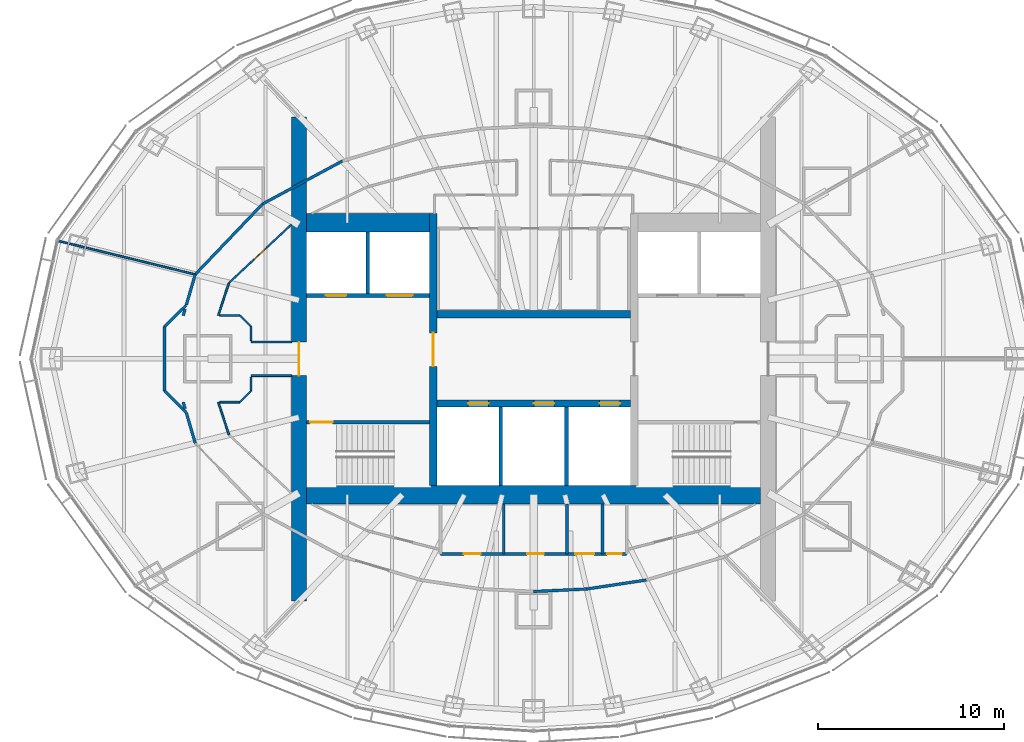
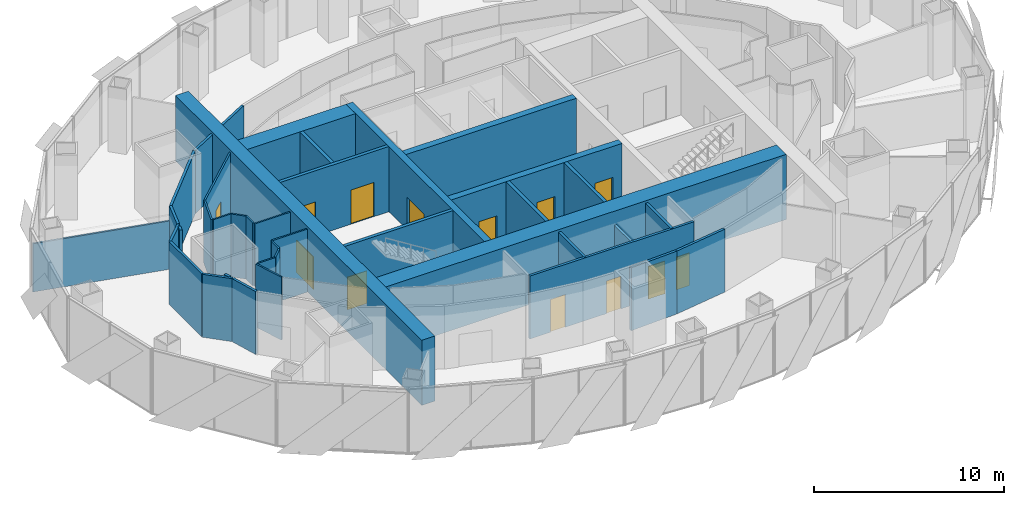
# One storey, part 12 of 17: 38 walls, 13 doors, 13 openings.
"""IFC4 building model written with IfcOpenShell, lengths in metres."""

import ifcopenshell
import ifcopenshell.guid

model = None  # the IFC model being written
_history = None  # IfcOwnerHistory: only IFC2X3 demands one
_inside = {}  # id of a spatial element -> (the spatial element, [elements in it])
_under = {}  # id of a project, library or spatial element -> (it, [spatial elements below it])
_declared = {}  # id of a project -> (the project, [libraries it declares])
_typed = {}  # id of a type object -> (the type object, [elements of that type])
_made_of = {}  # id of a material, layer set ... -> (it, [elements and type objects made of it])


def new_model(schema):
    """Start an empty IFC model of exactly this schema.

    Asked for "IFC4X3", IfcOpenShell would pick the latest addendum, in which some entities
    have other attributes; the version numbers below select the first issue.
    IFC2X3 requires an IfcOwnerHistory on every rooted entity: one is made here for all.
    """
    global model, _history
    if schema == "IFC4X3":
        model = ifcopenshell.file(schema_version=(4, 3, 0, 0))
    else:
        model = ifcopenshell.file(schema=schema)
    _inside.clear()
    _under.clear()
    _declared.clear()
    _typed.clear()
    _made_of.clear()
    _history = None
    if model.schema == "IFC2X3":
        org = make("IfcOrganization", Name="unknown")
        user = make(
            "IfcPersonAndOrganization",
            ThePerson=make("IfcPerson", FamilyName="unknown"),
            TheOrganization=org,
        )
        app = make(
            "IfcApplication",
            ApplicationDeveloper=org,
            Version="unknown",
            ApplicationFullName="unknown",
            ApplicationIdentifier="unknown",
        )
        _history = make(
            "IfcOwnerHistory",
            OwningUser=user,
            OwningApplication=app,
            ChangeAction="ADDED",
            CreationDate=0,
        )
    return model


def make(cls, **values):
    """One entity of the class cls with the attributes given. An attribute that is None is left unset."""
    return model.create_entity(
        cls, **{name: value for name, value in values.items() if value is not None}
    )


def rooted(cls, **values):
    """An entity with a GlobalId (a new one), such as an element, a storey or a relation."""
    return make(cls, GlobalId=ifcopenshell.guid.new(), OwnerHistory=_history, **values)


def si_unit(unit_type, name, prefix=None):
    """IfcSIUnit, for example si_unit("LENGTHUNIT", "METRE", prefix="MILLI")."""
    return make("IfcSIUnit", UnitType=unit_type, Prefix=prefix, Name=name)


def assignment(units):
    """IfcUnitAssignment: the units of a project."""
    return None if units is None else make("IfcUnitAssignment", Units=units)


def point(xyz):
    """IfcCartesianPoint."""
    return None if xyz is None else make("IfcCartesianPoint", Coordinates=xyz)


def direction(xyz):
    """IfcDirection."""
    return None if xyz is None else make("IfcDirection", DirectionRatios=xyz)


def frame(location, z_axis=None, x_axis=None):
    """IfcAxis2Placement3D, a coordinate frame: its origin and axes. An axis left out is left unset."""
    return make(
        "IfcAxis2Placement3D",
        Location=point(location),
        Axis=direction(z_axis),
        RefDirection=direction(x_axis),
    )


def frame_2d(location, x_axis=None):
    """IfcAxis2Placement2D, a coordinate frame in the plane: its origin and x axis."""
    return make(
        "IfcAxis2Placement2D", Location=point(location), RefDirection=direction(x_axis)
    )


def origin():
    """The frame at (0, 0, 0) with its axes left unset."""
    return frame((0.0, 0.0, 0.0))


def place(relative_to, where):
    """IfcLocalPlacement: puts the frame where relative to a parent placement (None: the world)."""
    return make(
        "IfcLocalPlacement", PlacementRelTo=relative_to, RelativePlacement=where
    )


def context(
    kind, dimensions, precision=None, world=None, true_north=None, identifier=None
):
    """IfcGeometricRepresentationContext, for example the 3D "Model" context."""
    return make(
        "IfcGeometricRepresentationContext",
        ContextIdentifier=identifier,
        ContextType=kind,
        CoordinateSpaceDimension=dimensions,
        Precision=precision,
        WorldCoordinateSystem=world,
        TrueNorth=true_north,
    )


def subcontext(parent, identifier, kind, view, scale=None):
    """IfcGeometricRepresentationSubContext, for example "Body" below "Model"."""
    return make(
        "IfcGeometricRepresentationSubContext",
        ContextIdentifier=identifier,
        ContextType=kind,
        ParentContext=parent,
        TargetScale=scale,
        TargetView=view,
    )


def project(units=None, contexts=None):
    """IfcProject with its units and contexts."""
    return rooted(
        "IfcProject",
        Name="project",
        RepresentationContexts=contexts,
        UnitsInContext=assignment(units),
    )


def spatial(cls, under=None, at=None, **own):
    """A site, building, storey or space (cls), placed at a placement, below another one or the project."""
    s = rooted(cls, ObjectPlacement=at, **own)
    if under is not None:
        _under.setdefault(under.id(), (under, []))[1].append(s)
    return s


def profile(cls, at=None, kind="AREA", **sizes):
    """A parametric profile (cls). Its sizes go by their IFC names, for example OverallWidth=200.0."""
    return make(cls, ProfileType=kind, Position=at, **sizes)


def rectangle(**sizes):
    """IfcRectangleProfileDef."""
    return profile("IfcRectangleProfileDef", **sizes)


def extrude(swept, where, along, depth):
    """IfcExtrudedAreaSolid: the profile swept, set in the frame where, extruded along a direction by depth."""
    return make(
        "IfcExtrudedAreaSolid",
        SweptArea=swept,
        Position=where,
        ExtrudedDirection=direction(along),
        Depth=depth,
    )


def shape(context_of_items, identifier, shape_type, items):
    """IfcShapeRepresentation: the items that make up one representation, for example the "Body"."""
    return make(
        "IfcShapeRepresentation",
        ContextOfItems=context_of_items,
        RepresentationIdentifier=identifier,
        RepresentationType=shape_type,
        Items=items,
    )


def material(Name=None, Category=None):
    """IfcMaterial."""
    return make("IfcMaterial", Name=Name, Category=Category)


def layer(
    of_material, thickness, ventilated=None, Name=None, Category=None, Priority=None
):
    """IfcMaterialLayer: one layer of a wall or slab, of a material (None: an air gap)."""
    return make(
        "IfcMaterialLayer",
        Material=of_material,
        LayerThickness=thickness,
        IsVentilated=ventilated,
        Name=Name,
        Category=Category,
        Priority=Priority,
    )


def layer_set(layers, Name=None):
    """IfcMaterialLayerSet."""
    return make("IfcMaterialLayerSet", MaterialLayers=layers, LayerSetName=Name)


def made_of(thing, what):
    """Note that an element or type object is made of a material, layer set ...; save() writes the relation."""
    if what is not None:
        _made_of.setdefault(what.id(), (what, []))[1].append(thing)
    return thing


def type_object(cls, material=None, **own):
    """A type object (cls), such as IfcWallType, which elements share."""
    return made_of(rooted(cls, **own), material)


def element(
    cls,
    number,
    at=None,
    inside=None,
    cuts=None,
    type_object=None,
    material=None,
    context=None,
    identifier="Body",
    shape_type=None,
    held_by="IfcProductDefinitionShape",
    body=None,
    shapes=None,
    **own,
):
    """One element of the class cls, such as IfcWall. Its Tag is "e" and its number.

    at: its placement. inside: the storey or other place that contains it. cuts: it is an
    opening in that element (IfcRelVoidsElement). A single representation is given by context,
    identifier, shape_type and body (its items); several are given by shapes. held_by: the class
    of the entity that holds the representations. save() writes the other relations.
    """
    e = rooted(cls, Tag="e%d" % number, ObjectPlacement=at, **own)
    if body is not None:
        shapes = [shape(context, identifier, shape_type, body)]
    if shapes is not None:
        e.Representation = make(held_by, Representations=shapes)
    if inside is not None:
        _inside.setdefault(inside.id(), (inside, []))[1].append(e)
    if cuts is not None:
        rooted(
            "IfcRelVoidsElement", RelatingBuildingElement=cuts, RelatedOpeningElement=e
        )
    if type_object is not None:
        _typed.setdefault(type_object.id(), (type_object, []))[1].append(e)
    return made_of(e, material)


def fill(opening, filler):
    """IfcRelFillsElement: the door or window that sits in an opening."""
    return rooted(
        "IfcRelFillsElement",
        RelatingOpeningElement=opening,
        RelatedBuildingElement=filler,
    )


def aggregate(whole, parts):
    """IfcRelAggregates: a whole, such as a stair, and the parts it consists of."""
    return rooted("IfcRelAggregates", RelatingObject=whole, RelatedObjects=parts)


def save(model, path):
    """Write the relations noted so far, then the file.

    IfcRelAggregates (storeys below a building ...), IfcRelContainedInSpatialStructure (elements
    in a storey), IfcRelDefinesByType, IfcRelAssociatesMaterial and IfcRelDeclares: one each for
    every whole, place, type object, material and project.
    """
    for whole, parts in _under.values():
        aggregate(whole, parts)
    for where, things in _inside.values():
        rooted(
            "IfcRelContainedInSpatialStructure",
            RelatedElements=things,
            RelatingStructure=where,
        )
    for kind, things in _typed.values():
        rooted("IfcRelDefinesByType", RelatedObjects=things, RelatingType=kind)
    for what, things in _made_of.values():
        rooted("IfcRelAssociatesMaterial", RelatedObjects=things, RelatingMaterial=what)
    for by, libraries in _declared.values():
        rooted("IfcRelDeclares", RelatingContext=by, RelatedDefinitions=libraries)
    model.write(path)


model = new_model("IFC4")

# Units and contexts
model_context = context("Model", 3, precision=1e-05, world=origin(), true_north=direction((0.0, 1.0)))
body_context = subcontext(model_context, "Body", "Model", "MODEL_VIEW")
ifc_project = project(units=[si_unit("LENGTHUNIT", "METRE"), si_unit("AREAUNIT", "SQUARE_METRE"), si_unit("VOLUMEUNIT", "CUBIC_METRE"), si_unit("PLANEANGLEUNIT", "RADIAN"), si_unit("MASSUNIT", "GRAM", prefix="KILO")], contexts=[model_context])

# Site, building, storey
site_placement = place(None, origin())
site = spatial("IfcSite", under=ifc_project, at=site_placement, CompositionType="ELEMENT")
building_placement = place(site_placement, origin())
building = spatial("IfcBuilding", under=site, at=building_placement, Name="Lantaw Convention Tower", CompositionType="ELEMENT")
storey_placement = place(building_placement, frame((0.0, 0.0, 207.39990234375)))
storey = spatial("IfcBuildingStorey", under=building, at=storey_placement, Name="L48", CompositionType="ELEMENT", Elevation=207.39990234375)

# Walls
ifc_material_1 = material(Name="Concrete C60/75", Category="concrete")
ifc_layer_1 = layer(ifc_material_1, 1.0)
ifc_layer_set_1 = layer_set([ifc_layer_1], Name="Core wall 1000")
wall_type_1 = type_object("IfcWallType", Name="Core wall 1000", PredefinedType="SHEAR", material=ifc_layer_set_1)
wall_1_placement = place(storey_placement, frame((-12.199951171875, -7.300048828125, 0.0), z_axis=(0.0, 0.0, 1.0), x_axis=(1.0, 0.0, 0.0)))
element("IfcWall", 1, at=wall_1_placement, inside=storey, type_object=wall_type_1, Name="Core wall S", PredefinedType="SHEAR", context=body_context, shape_type="SweptSolid", body=[
    extrude(rectangle(XDim=24.39990234375, YDim=1.0, at=frame_2d((12.199951171875, 0.0))), origin(), (0.0, 0.0, 1.0), 4.2001953125),
])
wall_2_placement = place(storey_placement, frame((-5.60009765625, 7.300048828125, 0.0), z_axis=(0.0, 0.0, 1.0), x_axis=(-1.0, 0.0, 0.0)))
element("IfcWall", 2, at=wall_2_placement, inside=storey, type_object=wall_type_1, Name="Core wall NW", PredefinedType="SHEAR", context=body_context, shape_type="SweptSolid", body=[
    extrude(rectangle(XDim=6.599853515625, YDim=1.0, at=frame_2d((3.2998046875, 0.0))), origin(), (0.0, 0.0, 1.0), 4.2001953125),
])

# Wall, opening, door
ifc_layer_2 = layer(ifc_material_1, 0.199951171875)
ifc_layer_set_2 = layer_set([ifc_layer_2], Name="Core wall 200")
wall_type_2 = type_object("IfcWallType", Name="Core wall 200", PredefinedType="SHEAR", material=ifc_layer_set_2)
wall_3_placement = place(storey_placement, frame((-5.60009765625, -3.39990234375, 0.0), z_axis=(0.0, 0.0, 1.0), x_axis=(-1.0, 0.0, 0.0)))
wall_3 = element("IfcWall", 3, at=wall_3_placement, inside=storey, type_object=wall_type_2, Name="Core wall WS", PredefinedType="SHEAR", context=body_context, shape_type="SweptSolid", body=[
    extrude(rectangle(XDim=6.599853515625, YDim=0.199951171875, at=frame_2d((3.2998046875, 0.0))), origin(), (0.0, 0.0, 1.0), 4.2001953125),
])
opening_1_placement = place(wall_3_placement, frame((5.199951171875, 0.0, 0.0)))
opening_1 = element("IfcOpeningElement", 4, at=opening_1_placement, cuts=wall_3, Name="Opening L48.04", PredefinedType="OPENING", context=body_context, shape_type="SweptSolid", body=[
    extrude(rectangle(XDim=1.199951171875, YDim=2.10009765625, at=frame_2d((0.60009765625, 1.050048828125))), frame((0.0, 0.10986328125, 0.0), z_axis=(0.0, -1.0, 0.0), x_axis=(1.0, 0.0, 0.0)), (0.0, 0.0, 1.0), 0.219970703125),
])
ifc_material_2 = material(Name="Steel, fire rated", Category="steel")
door_type_1 = type_object("IfcDoorType", Name="Stair door FD90", OperationType="SINGLE_SWING_RIGHT", PredefinedType="DOOR", material=ifc_material_2)
door_1_placement = place(opening_1_placement, origin())
door_1 = element("IfcDoor", 5, at=door_1_placement, inside=storey, type_object=door_type_1, Name="Exit stair door", OperationType="SINGLE_SWING_RIGHT", OverallHeight=2.10009765625, OverallWidth=1.199951171875, PredefinedType="DOOR", context=body_context, shape_type="SweptSolid", body=[
    extrude(rectangle(XDim=1.199951171875, YDim=2.10009765625, at=frame_2d((0.60009765625, 1.050048828125))), frame((0.0, 0.02490234375, 0.0), z_axis=(0.0, -1.0, 0.0), x_axis=(1.0, 0.0, 0.0)), (0.0, 0.0, 1.0), 0.050048828125),
])
fill(opening_1, door_1)

ifc_layer_3 = layer(ifc_material_1, 0.39990234375)
ifc_layer_set_3 = layer_set([ifc_layer_3], Name="Core wall 400")
wall_type_3 = type_object("IfcWallType", Name="Core wall 400", PredefinedType="SHEAR", material=ifc_layer_set_3)
wall_4_placement = place(storey_placement, frame((-5.39990234375, 7.800048828125, 0.0), z_axis=(0.0, 0.0, 1.0), x_axis=(0.0, -1.0, 0.0)))
wall_4 = element("IfcWall", 6, at=wall_4_placement, inside=storey, type_object=wall_type_3, Name="Core wall XW", PredefinedType="SHEAR", context=body_context, shape_type="SweptSolid", body=[
    extrude(rectangle(XDim=14.60009765625, YDim=0.39990234375, at=frame_2d((7.300048828125, 0.0))), origin(), (0.0, 0.0, 1.0), 4.2001953125),
])
opening_2_placement = place(wall_4_placement, frame((6.39990234375, 0.0, 0.0)))
opening_2 = element("IfcOpeningElement", 7, at=opening_2_placement, cuts=wall_4, Name="Opening L48.02", PredefinedType="OPENING", context=body_context, shape_type="SweptSolid", body=[
    extrude(rectangle(XDim=1.800048828125, YDim=2.10009765625, at=frame_2d((0.89990234375, 1.050048828125))), frame((0.0, 0.2099609375, 0.0), z_axis=(0.0, -1.0, 0.0), x_axis=(1.0, 0.0, 0.0)), (0.0, 0.0, 1.0), 0.419921875),
])
door_type_2 = type_object("IfcDoorType", Name="Lobby double door FD90", OperationType="DOUBLE_DOOR_DOUBLE_SWING", PredefinedType="DOOR", material=ifc_material_2)
door_2_placement = place(opening_2_placement, origin())
door_2 = element("IfcDoor", 8, at=door_2_placement, inside=storey, type_object=door_type_2, Name="Lift lobby door", OperationType="DOUBLE_DOOR_DOUBLE_SWING", OverallHeight=2.10009765625, OverallWidth=1.800048828125, PredefinedType="DOOR", context=body_context, shape_type="SweptSolid", body=[
    extrude(rectangle(XDim=1.800048828125, YDim=2.10009765625, at=frame_2d((0.89990234375, 1.050048828125))), frame((0.0, 0.02490234375, 0.0), z_axis=(0.0, -1.0, 0.0), x_axis=(1.0, 0.0, 0.0)), (0.0, 0.0, 1.0), 0.050048828125),
])
fill(opening_2, door_2)

# Wall, openings, doors
wall_5_placement = place(storey_placement, frame((-5.199951171875, -2.39990234375, 0.0), z_axis=(0.0, 0.0, 1.0), x_axis=(1.0, 0.0, 0.0)))
wall_5 = element("IfcWall", 9, at=wall_5_placement, inside=storey, type_object=wall_type_3, Name="Core wall BS", PredefinedType="SHEAR", context=body_context, shape_type="SweptSolid", body=[
    extrude(rectangle(XDim=10.39990234375, YDim=0.39990234375, at=frame_2d((5.199951171875, 0.0))), origin(), (0.0, 0.0, 1.0), 4.2001953125),
])
opening_3_placement = place(wall_5_placement, frame((1.683349609375, 0.0, 0.0)))
opening_3 = element("IfcOpeningElement", 10, at=opening_3_placement, cuts=wall_5, Name="Opening L48.07", PredefinedType="OPENING", context=body_context, shape_type="SweptSolid", body=[
    extrude(rectangle(XDim=1.10009765625, YDim=2.199951171875, at=frame_2d((0.550048828125, 1.10009765625))), frame((0.0, 0.2099609375, 0.0), z_axis=(0.0, -1.0, 0.0), x_axis=(1.0, 0.0, 0.0)), (0.0, 0.0, 1.0), 0.419921875),
])
opening_4_placement = place(wall_5_placement, frame((5.216796875, 0.0, 0.0)))
opening_4 = element("IfcOpeningElement", 11, at=opening_4_placement, cuts=wall_5, Name="Opening L48.08", PredefinedType="OPENING", context=body_context, shape_type="SweptSolid", body=[
    extrude(rectangle(XDim=1.10009765625, YDim=2.199951171875, at=frame_2d((0.550048828125, 1.10009765625))), frame((0.0, 0.2099609375, 0.0), z_axis=(0.0, -1.0, 0.0), x_axis=(1.0, 0.0, 0.0)), (0.0, 0.0, 1.0), 0.419921875),
])
opening_5_placement = place(wall_5_placement, frame((8.75, 0.0, 0.0)))
opening_5 = element("IfcOpeningElement", 12, at=opening_5_placement, cuts=wall_5, Name="Opening L48.09", PredefinedType="OPENING", context=body_context, shape_type="SweptSolid", body=[
    extrude(rectangle(XDim=1.10009765625, YDim=2.199951171875, at=frame_2d((0.550048828125, 1.10009765625))), frame((0.0, 0.2099609375, 0.0), z_axis=(0.0, -1.0, 0.0), x_axis=(1.0, 0.0, 0.0)), (0.0, 0.0, 1.0), 0.419921875),
])
ifc_material_3 = material(Name="Stainless steel", Category="steel")
door_type_3 = type_object("IfcDoorType", Name="Lift landing door 1100", OperationType="DOUBLE_DOOR_SLIDING", PredefinedType="DOOR", material=ifc_material_3)
door_3_placement = place(opening_3_placement, origin())
door_3 = element("IfcDoor", 13, at=door_3_placement, inside=storey, type_object=door_type_3, Name="Lift landing door S1", OperationType="DOUBLE_DOOR_SLIDING", OverallHeight=2.199951171875, OverallWidth=1.10009765625, PredefinedType="DOOR", context=body_context, shape_type="SweptSolid", body=[
    extrude(rectangle(XDim=1.10009765625, YDim=2.199951171875, at=frame_2d((0.550048828125, 1.10009765625))), frame((0.0, 0.02490234375, 0.0), z_axis=(0.0, -1.0, 0.0), x_axis=(1.0, 0.0, 0.0)), (0.0, 0.0, 1.0), 0.050048828125),
])
fill(opening_3, door_3)
door_4_placement = place(opening_4_placement, origin())
door_4 = element("IfcDoor", 14, at=door_4_placement, inside=storey, type_object=door_type_3, Name="Lift landing door S2", OperationType="DOUBLE_DOOR_SLIDING", OverallHeight=2.199951171875, OverallWidth=1.10009765625, PredefinedType="DOOR", context=body_context, shape_type="SweptSolid", body=[
    extrude(rectangle(XDim=1.10009765625, YDim=2.199951171875, at=frame_2d((0.550048828125, 1.10009765625))), frame((0.0, 0.02490234375, 0.0), z_axis=(0.0, -1.0, 0.0), x_axis=(1.0, 0.0, 0.0)), (0.0, 0.0, 1.0), 0.050048828125),
])
fill(opening_4, door_4)
door_5_placement = place(opening_5_placement, origin())
door_5 = element("IfcDoor", 15, at=door_5_placement, inside=storey, type_object=door_type_3, Name="Lift landing door S3", OperationType="DOUBLE_DOOR_SLIDING", OverallHeight=2.199951171875, OverallWidth=1.10009765625, PredefinedType="DOOR", context=body_context, shape_type="SweptSolid", body=[
    extrude(rectangle(XDim=1.10009765625, YDim=2.199951171875, at=frame_2d((0.550048828125, 1.10009765625))), frame((0.0, 0.02490234375, 0.0), z_axis=(0.0, -1.0, 0.0), x_axis=(1.0, 0.0, 0.0)), (0.0, 0.0, 1.0), 0.050048828125),
])
fill(opening_5, door_5)

# Wall
wall_6_placement = place(storey_placement, frame((5.199951171875, 2.39990234375, 0.0), z_axis=(0.0, 0.0, 1.0), x_axis=(-1.0, 0.0, 0.0)))
element("IfcWall", 16, at=wall_6_placement, inside=storey, type_object=wall_type_3, Name="Core wall BN", PredefinedType="SHEAR", context=body_context, shape_type="SweptSolid", body=[
    extrude(rectangle(XDim=10.39990234375, YDim=0.39990234375, at=frame_2d((5.199951171875, 0.0))), origin(), (0.0, 0.0, 1.0), 4.2001953125),
])

# Wall, opening, door
ifc_layer_4 = layer(ifc_material_1, 0.800048828125)
ifc_layer_set_4 = layer_set([ifc_layer_4], Name="Core wall 800")
wall_type_4 = type_object("IfcWallType", Name="Core wall 800", PredefinedType="SHEAR", material=ifc_layer_set_4)
wall_7_placement = place(storey_placement, frame((-12.60009765625, 13.0, 0.0), z_axis=(0.0, 0.0, 1.0), x_axis=(0.0, -1.0, 0.0)))
wall_7 = element("IfcWall", 17, at=wall_7_placement, inside=storey, type_object=wall_type_4, Name="Core wall W", PredefinedType="SHEAR", context=body_context, shape_type="SweptSolid", body=[
    extrude(rectangle(XDim=26.0, YDim=0.800048828125, at=frame_2d((13.0, 0.0))), origin(), (0.0, 0.0, 1.0), 4.2001953125),
])
opening_6_placement = place(wall_7_placement, frame((12.10009765625, 0.0, 0.0)))
opening_6 = element("IfcOpeningElement", 18, at=opening_6_placement, cuts=wall_7, Name="Opening L48.06", PredefinedType="OPENING", context=body_context, shape_type="SweptSolid", body=[
    extrude(rectangle(XDim=1.800048828125, YDim=2.10009765625, at=frame_2d((0.89990234375, 1.050048828125))), frame((0.0, 0.409912109375, 0.0), z_axis=(0.0, -1.0, 0.0), x_axis=(1.0, 0.0, 0.0)), (0.0, 0.0, 1.0), 0.820068359375),
])
door_6_placement = place(opening_6_placement, origin())
door_6 = element("IfcDoor", 19, at=door_6_placement, inside=storey, type_object=door_type_2, Name="Firefighting lobby door", OperationType="DOUBLE_DOOR_DOUBLE_SWING", OverallHeight=2.10009765625, OverallWidth=1.800048828125, PredefinedType="DOOR", context=body_context, shape_type="SweptSolid", body=[
    extrude(rectangle(XDim=1.800048828125, YDim=2.10009765625, at=frame_2d((0.89990234375, 1.050048828125))), frame((0.0, 0.02490234375, 0.0), z_axis=(0.0, -1.0, 0.0), x_axis=(1.0, 0.0, 0.0)), (0.0, 0.0, 1.0), 0.050048828125),
])
fill(opening_6, door_6)

# Walls
ifc_material_4 = material(Name="Gypsum board on steel studs, fire rated", Category="steel")
ifc_layer_5 = layer(ifc_material_4, 0.14990234375)
ifc_layer_set_5 = layer_set([ifc_layer_5], Name="Corridor wall 150 EI 60")
wall_type_5 = type_object("IfcWallType", Name="Corridor wall 150 EI 60", PredefinedType="PARTITIONING", material=ifc_layer_set_5)
wall_8_placement = place(storey_placement, frame((-10.263671875, 10.62841796875, 0.0), z_axis=(0.0, 0.0, 1.0), x_axis=(-0.88053863253, -0.47397438393, 0.0)))
element("IfcWall", 20, at=wall_8_placement, inside=storey, type_object=wall_type_5, Name="Corridor wall 150", PredefinedType="PARTITIONING", context=body_context, shape_type="SweptSolid", body=[
    extrude(rectangle(XDim=4.874755859375, YDim=0.14990234375, at=frame_2d((2.4375, 0.0))), origin(), (0.0, 0.0, 1.0), 4.050048828125),
])
wall_9_placement = place(storey_placement, frame((-14.55615234375, 8.31787109375, 0.0), z_axis=(0.0, 0.0, 1.0), x_axis=(-0.690768413292, -0.723076067366, 0.0)))
element("IfcWall", 21, at=wall_9_placement, inside=storey, type_object=wall_type_5, Name="Corridor wall 150", PredefinedType="PARTITIONING", context=body_context, shape_type="SweptSolid", body=[
    extrude(rectangle(XDim=5.23681640625, YDim=0.14990234375, at=frame_2d((2.618408203125, 0.0))), origin(), (0.0, 0.0, 1.0), 4.050048828125),
])
wall_10_placement = place(storey_placement, frame((0.0, -12.5, 0.0), z_axis=(0.0, 0.0, 1.0), x_axis=(0.998887574055, 0.047155216016, 0.0)))
element("IfcWall", 22, at=wall_10_placement, inside=storey, type_object=wall_type_5, Name="Corridor wall 150", PredefinedType="PARTITIONING", context=body_context, shape_type="SweptSolid", body=[
    extrude(rectangle(XDim=2.85791015625, YDim=0.14990234375, at=frame_2d((1.428955078125, 0.0))), origin(), (0.0, 0.0, 1.0), 4.050048828125),
])
wall_11_placement = place(storey_placement, frame((2.854736328125, -12.365234375, 0.0), z_axis=(0.0, 0.0, 1.0), x_axis=(0.988800347251, 0.149244340852, 0.0)))
element("IfcWall", 23, at=wall_11_placement, inside=storey, type_object=wall_type_5, Name="Corridor wall 150", PredefinedType="PARTITIONING", context=body_context, shape_type="SweptSolid", body=[
    extrude(rectangle(XDim=3.235595703125, YDim=0.14990234375, at=frame_2d((1.61767578125, 0.0))), origin(), (0.0, 0.0, 1.0), 4.050048828125),
])
for number, where, z_axis, x_axis, name in (
    (24, (-18.173583984375, 4.53125, 0.0), (0.0, 0.0, 1.0), (-0.281027335084, -0.959699763955, 0.0), "Corridor wall 150"),
    (25, (-18.653076171875, -2.893798828125, 0.0), (0.0, 0.0, 1.0), (0.281027335084, -0.959699763955, 0.0), "Corridor wall 150"),
):
    element("IfcWall", number, at=place(storey_placement, frame(where, z_axis=z_axis, x_axis=x_axis)), inside=storey, type_object=wall_type_5, Name=name, PredefinedType="PARTITIONING", context=body_context, shape_type="SweptSolid", body=[
        extrude(rectangle(XDim=1.706298828125, YDim=0.14990234375, at=frame_2d((0.85302734375, 0.0))), origin(), (0.0, 0.0, 1.0), 4.050048828125),
    ])
wall_12_placement = place(storey_placement, frame((-18.666259765625, -2.866455078125, 0.0), z_axis=(0.0, 0.0, 1.0), x_axis=(-0.712265481509, 0.701910167935, 0.0)))
element("IfcWall", 26, at=wall_12_placement, inside=storey, type_object=wall_type_5, Name="Corridor wall 150", PredefinedType="PARTITIONING", context=body_context, shape_type="SweptSolid", body=[
    extrude(rectangle(XDim=1.626708984375, YDim=0.14990234375, at=frame_2d((0.8134765625, 0.0))), origin(), (0.0, 0.0, 1.0), 4.050048828125),
])
wall_13_placement = place(storey_placement, frame((-19.824951171875, -1.724609375, 0.0), z_axis=(0.0, 0.0, 1.0), x_axis=(0.0, 1.0, 0.0)))
element("IfcWall", 27, at=wall_13_placement, inside=storey, type_object=wall_type_5, Name="Corridor wall 150", PredefinedType="PARTITIONING", context=body_context, shape_type="SweptSolid", body=[
    extrude(rectangle(XDim=3.44921875, YDim=0.14990234375, at=frame_2d((1.724609375, 0.0))), origin(), (0.0, 0.0, 1.0), 4.050048828125),
])
wall_14_placement = place(storey_placement, frame((-19.824951171875, 1.724609375, 0.0), z_axis=(0.0, 0.0, 1.0), x_axis=(0.712265481509, 0.701910167935, 0.0)))
element("IfcWall", 28, at=wall_14_placement, inside=storey, type_object=wall_type_5, Name="Corridor wall 150", PredefinedType="PARTITIONING", context=body_context, shape_type="SweptSolid", body=[
    extrude(rectangle(XDim=1.626708984375, YDim=0.14990234375, at=frame_2d((0.8134765625, 0.0))), origin(), (0.0, 0.0, 1.0), 4.050048828125),
])
for number, where, z_axis, x_axis, name in (
    (29, (-18.71728515625, 2.673828125, 0.0), (0.0, 0.0, 1.0), (-0.281366391393, -0.959600413607, 0.0), "Corridor wall 150"),
    (30, (-18.819580078125, -2.324951171875, 0.0), (0.0, 0.0, 1.0), (0.281366391393, -0.959600413607, 0.0), "Corridor wall 150"),
):
    element("IfcWall", number, at=place(storey_placement, frame(where, z_axis=z_axis, x_axis=x_axis)), inside=storey, type_object=wall_type_5, Name=name, PredefinedType="PARTITIONING", context=body_context, shape_type="SweptSolid", body=[
        extrude(rectangle(XDim=0.363525390625, YDim=0.14990234375, at=frame_2d((0.181640625, 0.0))), origin(), (0.0, 0.0, 1.0), 4.050048828125),
    ])
ifc_material_5 = material(Name="Gypsum board on steel studs, acoustic", Category="steel")
ifc_layer_6 = layer(ifc_material_5, 0.10009765625)
ifc_layer_set_6 = layer_set([ifc_layer_6], Name="Office partition 100")
wall_type_6 = type_object("IfcWallType", Name="Office partition 100", PredefinedType="PARTITIONING", material=ifc_layer_set_6)
wall_15_placement = place(storey_placement, frame((-25.542724609375, 6.335693359375, 0.0), z_axis=(0.0, 0.0, 1.0), x_axis=(0.97130474594, -0.237838370569, 0.0)))
element("IfcWall", 31, at=wall_15_placement, inside=storey, type_object=wall_type_6, Name="Office partition 100", PredefinedType="PARTITIONING", context=body_context, shape_type="SweptSolid", body=[
    extrude(rectangle(XDim=7.5869140625, YDim=0.10009765625, at=frame_2d((3.79345703125, 0.0))), origin(), (0.0, 0.0, 1.0), 3.107666015625),
])

# Wall, opening, door
wall_16_placement = place(storey_placement, frame((-16.36279296875, 4.079833984375, 0.0), z_axis=(0.0, 0.0, 1.0), x_axis=(0.730651186567, 0.682750938167, 0.0)))
wall_16 = element("IfcWall", 32, at=wall_16_placement, inside=storey, type_object=wall_type_6, Name="Office partition 100", PredefinedType="PARTITIONING", context=body_context, shape_type="SweptSolid", body=[
    extrude(rectangle(XDim=4.6025390625, YDim=0.10009765625, at=frame_2d((2.30126953125, 0.0))), origin(), (0.0, 0.0, 1.0), 4.050048828125),
])
opening_7_placement = place(wall_16_placement, frame((1.851318359375, 0.0, 0.0)))
opening_7 = element("IfcOpeningElement", 33, at=opening_7_placement, cuts=wall_16, Name="Opening L48.29", PredefinedType="OPENING", context=body_context, shape_type="SweptSolid", body=[
    extrude(rectangle(XDim=0.89990234375, YDim=2.10009765625, at=frame_2d((0.449951171875, 1.050048828125))), frame((0.0, 0.06005859375, 0.0), z_axis=(0.0, -1.0, 0.0), x_axis=(1.0, 0.0, 0.0)), (0.0, 0.0, 1.0), 0.1201171875),
])
ifc_material_6 = material(Name="Timber", Category="wood")
door_type_4 = type_object("IfcDoorType", Name="Office door 900", OperationType="SINGLE_SWING_LEFT", PredefinedType="DOOR", material=ifc_material_6)
door_7_placement = place(opening_7_placement, origin())
door_7 = element("IfcDoor", 34, at=door_7_placement, inside=storey, type_object=door_type_4, Name="Comms room door", OperationType="SINGLE_SWING_LEFT", OverallHeight=2.10009765625, OverallWidth=0.89990234375, PredefinedType="DOOR", context=body_context, shape_type="SweptSolid", body=[
    extrude(rectangle(XDim=0.89990234375, YDim=2.10009765625, at=frame_2d((0.449951171875, 1.050048828125))), frame((0.0, 0.02490234375, 0.0), z_axis=(0.0, -1.0, 0.0), x_axis=(1.0, 0.0, 0.0)), (0.0, 0.0, 1.0), 0.050048828125),
])
fill(opening_7, door_7)

# Walls
wall_17_placement = place(storey_placement, frame((-16.36279296875, -4.079833984375, 0.0), z_axis=(0.0, 0.0, 1.0), x_axis=(-0.311517212063, 0.950240509865, 0.0)))
element("IfcWall", 35, at=wall_17_placement, inside=storey, type_object=wall_type_6, Name="Office partition 100", PredefinedType="PARTITIONING", context=body_context, shape_type="SweptSolid", body=[
    extrude(rectangle(XDim=1.836181640625, YDim=0.10009765625, at=frame_2d((0.91796875, 0.0))), origin(), (0.0, 0.0, 1.0), 4.050048828125),
])
for number, where, z_axis, x_axis, name in (
    (36, (-15.1650390625, -0.89990234375, 0.0), (0.0, 0.0, 1.0), (1.0, 0.0, 0.0), "Office partition 100"),
    (37, (-13.0, 0.89990234375, 0.0), (0.0, 0.0, 1.0), (-1.0, 0.0, 0.0), "Office partition 100"),
):
    element("IfcWall", number, at=place(storey_placement, frame(where, z_axis=z_axis, x_axis=x_axis)), inside=storey, type_object=wall_type_6, Name=name, PredefinedType="PARTITIONING", context=body_context, shape_type="SweptSolid", body=[
        extrude(rectangle(XDim=2.1650390625, YDim=0.10009765625, at=frame_2d((1.08251953125, 0.0))), origin(), (0.0, 0.0, 1.0), 4.050048828125),
    ])
wall_18_placement = place(storey_placement, frame((-16.934814453125, 2.3349609375, 0.0), z_axis=(0.0, 0.0, 1.0), x_axis=(0.311517212063, 0.950240509865, 0.0)))
element("IfcWall", 38, at=wall_18_placement, inside=storey, type_object=wall_type_6, Name="Office partition 100", PredefinedType="PARTITIONING", context=body_context, shape_type="SweptSolid", body=[
    extrude(rectangle(XDim=1.836181640625, YDim=0.10009765625, at=frame_2d((0.91796875, 0.0))), origin(), (0.0, 0.0, 1.0), 4.050048828125),
])
wall_19_placement = place(storey_placement, frame((-15.175048828125, -0.978271484375, 0.0), z_axis=(0.0, 0.0, 1.0), x_axis=(0.0, -1.0, 0.0)))
element("IfcWall", 39, at=wall_19_placement, inside=storey, type_object=wall_type_6, Name="Office partition 100", PredefinedType="PARTITIONING", context=body_context, shape_type="SweptSolid", body=[
    extrude(rectangle(XDim=0.746337890625, YDim=0.10009765625, at=frame_2d((0.373046875, 0.0))), origin(), (0.0, 0.0, 1.0), 4.050048828125),
])
wall_20_placement = place(storey_placement, frame((-15.175048828125, -1.724609375, 0.0), z_axis=(0.0, 0.0, 1.0), x_axis=(-0.707106781187, -0.707106781187, 0.0)))
element("IfcWall", 40, at=wall_20_placement, inside=storey, type_object=wall_type_6, Name="Office partition 100", PredefinedType="PARTITIONING", context=body_context, shape_type="SweptSolid", body=[
    extrude(rectangle(XDim=0.84912109375, YDim=0.10009765625, at=frame_2d((0.424560546875, 0.0))), origin(), (0.0, 0.0, 1.0), 4.050048828125),
])
for number, where, z_axis, x_axis, name in (
    (41, (-15.775390625, -2.324951171875, 0.0), (0.0, 0.0, 1.0), (-1.0, 0.0, 0.0), "Office partition 100"),
    (42, (-16.853759765625, 2.324951171875, 0.0), (0.0, 0.0, 1.0), (1.0, 0.0, 0.0), "Office partition 100"),
):
    element("IfcWall", number, at=place(storey_placement, frame(where, z_axis=z_axis, x_axis=x_axis)), inside=storey, type_object=wall_type_6, Name=name, PredefinedType="PARTITIONING", context=body_context, shape_type="SweptSolid", body=[
        extrude(rectangle(XDim=1.078369140625, YDim=0.10009765625, at=frame_2d((0.5390625, 0.0))), origin(), (0.0, 0.0, 1.0), 4.050048828125),
    ])
wall_21_placement = place(storey_placement, frame((-15.775390625, 2.324951171875, 0.0), z_axis=(0.0, 0.0, 1.0), x_axis=(0.707106781187, -0.707106781187, 0.0)))
element("IfcWall", 43, at=wall_21_placement, inside=storey, type_object=wall_type_6, Name="Office partition 100", PredefinedType="PARTITIONING", context=body_context, shape_type="SweptSolid", body=[
    extrude(rectangle(XDim=0.84912109375, YDim=0.10009765625, at=frame_2d((0.424560546875, 0.0))), origin(), (0.0, 0.0, 1.0), 4.050048828125),
])
wall_22_placement = place(storey_placement, frame((-15.175048828125, 1.724609375, 0.0), z_axis=(0.0, 0.0, 1.0), x_axis=(0.0, -1.0, 0.0)))
element("IfcWall", 44, at=wall_22_placement, inside=storey, type_object=wall_type_6, Name="Office partition 100", PredefinedType="PARTITIONING", context=body_context, shape_type="SweptSolid", body=[
    extrude(rectangle(XDim=0.746337890625, YDim=0.10009765625, at=frame_2d((0.373046875, 0.0))), origin(), (0.0, 0.0, 1.0), 4.050048828125),
])

# Wall, openings, doors
ifc_material_7 = material(Name="Concrete blockwork, fire rated", Category="masonry")
ifc_layer_7 = layer(ifc_material_7, 0.199951171875)
ifc_layer_set_7 = layer_set([ifc_layer_7], Name="Shaft wall 200")
wall_type_7 = type_object("IfcWallType", Name="Shaft wall 200", PredefinedType="SOLIDWALL", material=ifc_layer_set_7)
wall_23_placement = place(storey_placement, frame((-12.199951171875, 3.39990234375, 0.0), z_axis=(0.0, 0.0, 1.0), x_axis=(1.0, 0.0, 0.0)))
wall_23 = element("IfcWall", 45, at=wall_23_placement, inside=storey, type_object=wall_type_7, Name="Shaft wall WN", PredefinedType="SOLIDWALL", context=body_context, shape_type="SweptSolid", body=[
    extrude(rectangle(XDim=6.599853515625, YDim=0.199951171875, at=frame_2d((3.2998046875, 0.0))), origin(), (0.0, 0.0, 1.0), 4.2001953125),
])
opening_8_placement = place(wall_23_placement, frame((1.050048828125, 0.0, 0.0)))
opening_8 = element("IfcOpeningElement", 46, at=opening_8_placement, cuts=wall_23, Name="Opening L48.10", PredefinedType="OPENING", context=body_context, shape_type="SweptSolid", body=[
    extrude(rectangle(XDim=1.10009765625, YDim=2.199951171875, at=frame_2d((0.550048828125, 1.10009765625))), frame((0.0, 0.10986328125, 0.0), z_axis=(0.0, -1.0, 0.0), x_axis=(1.0, 0.0, 0.0)), (0.0, 0.0, 1.0), 0.219970703125),
])
opening_9_placement = place(wall_23_placement, frame((4.300048828125, 0.0, 0.0)))
opening_9 = element("IfcOpeningElement", 47, at=opening_9_placement, cuts=wall_23, Name="Opening L48.11", PredefinedType="OPENING", context=body_context, shape_type="SweptSolid", body=[
    extrude(rectangle(XDim=1.39990234375, YDim=2.199951171875, at=frame_2d((0.699951171875, 1.10009765625))), frame((0.0, 0.10986328125, 0.0), z_axis=(0.0, -1.0, 0.0), x_axis=(1.0, 0.0, 0.0)), (0.0, 0.0, 1.0), 0.219970703125),
])
door_8_placement = place(opening_8_placement, origin())
door_8 = element("IfcDoor", 48, at=door_8_placement, inside=storey, type_object=door_type_3, Name="Lift landing door FF1", OperationType="DOUBLE_DOOR_SLIDING", OverallHeight=2.199951171875, OverallWidth=1.10009765625, PredefinedType="DOOR", context=body_context, shape_type="SweptSolid", body=[
    extrude(rectangle(XDim=1.10009765625, YDim=2.199951171875, at=frame_2d((0.550048828125, 1.10009765625))), frame((0.0, 0.02490234375, 0.0), z_axis=(0.0, -1.0, 0.0), x_axis=(1.0, 0.0, 0.0)), (0.0, 0.0, 1.0), 0.050048828125),
])
fill(opening_8, door_8)
door_type_5 = type_object("IfcDoorType", Name="Lift landing door 1400", OperationType="DOUBLE_DOOR_SLIDING", PredefinedType="DOOR", material=ifc_material_3)
door_9_placement = place(opening_9_placement, origin())
door_9 = element("IfcDoor", 49, at=door_9_placement, inside=storey, type_object=door_type_5, Name="Lift landing door SV1", OperationType="DOUBLE_DOOR_SLIDING", OverallHeight=2.199951171875, OverallWidth=1.39990234375, PredefinedType="DOOR", context=body_context, shape_type="SweptSolid", body=[
    extrude(rectangle(XDim=1.39990234375, YDim=2.199951171875, at=frame_2d((0.699951171875, 1.10009765625))), frame((0.0, 0.02490234375, 0.0), z_axis=(0.0, -1.0, 0.0), x_axis=(1.0, 0.0, 0.0)), (0.0, 0.0, 1.0), 0.050048828125),
])
fill(opening_9, door_9)

# Walls
wall_24_placement = place(storey_placement, frame((-8.89990234375, 3.5, 0.0), z_axis=(0.0, 0.0, 1.0), x_axis=(0.0, 1.0, 0.0)))
element("IfcWall", 50, at=wall_24_placement, inside=storey, type_object=wall_type_7, Name="Shaft wall WD", PredefinedType="SOLIDWALL", context=body_context, shape_type="SweptSolid", body=[
    extrude(rectangle(XDim=3.300048828125, YDim=0.199951171875, at=frame_2d((1.64990234375, 0.0))), origin(), (0.0, 0.0, 1.0), 4.2001953125),
])
ifc_layer_8 = layer(ifc_material_7, 0.199951171875)
ifc_layer_set_8 = layer_set([ifc_layer_8], Name="Shaft wall 200 load-bearing")
wall_type_8 = type_object("IfcWallType", Name="Shaft wall 200 load-bearing", PredefinedType="SOLIDWALL", material=ifc_layer_set_8)
for number, where, z_axis, x_axis, name in (
    (51, (-1.7666015625, -2.60009765625, 0.0), (0.0, 0.0, 1.0), (0.0, -1.0, 0.0), "Shaft wall DS1"),
    (52, (1.7666015625, -2.60009765625, 0.0), (0.0, 0.0, 1.0), (0.0, -1.0, 0.0), "Shaft wall DS2"),
):
    element("IfcWall", number, at=place(storey_placement, frame(where, z_axis=z_axis, x_axis=x_axis)), inside=storey, type_object=wall_type_8, Name=name, PredefinedType="SOLIDWALL", context=body_context, shape_type="SweptSolid", body=[
        extrude(rectangle(XDim=4.199951171875, YDim=0.199951171875, at=frame_2d((2.10009765625, 0.0))), origin(), (0.0, 0.0, 1.0), 4.2001953125),
    ])

# Wall, openings, doors
ifc_material_8 = material(Name="Concrete blockwork", Category="masonry")
ifc_layer_9 = layer(ifc_material_8, 0.14990234375)
ifc_layer_set_9 = layer_set([ifc_layer_9], Name="WC wall 150")
wall_type_9 = type_object("IfcWallType", Name="WC wall 150", PredefinedType="SOLIDWALL", material=ifc_layer_set_9)
wall_25_placement = place(storey_placement, frame((-5.0, -10.48193359375, 0.0), z_axis=(0.0, 0.0, 1.0), x_axis=(1.0, 0.0, 0.0)))
wall_25 = element("IfcWall", 53, at=wall_25_placement, inside=storey, type_object=wall_type_9, Name="WC wall 150", PredefinedType="SOLIDWALL", context=body_context, shape_type="SweptSolid", body=[
    extrude(rectangle(XDim=10.0, YDim=0.14990234375, at=frame_2d((5.0, 0.0))), origin(), (0.0, 0.0, 1.0), 4.050048828125),
])
opening_10_placement = place(wall_25_placement, frame((1.25, 0.0, 0.0)))
opening_10 = element("IfcOpeningElement", 54, at=opening_10_placement, cuts=wall_25, Name="Opening L48.18", PredefinedType="OPENING", context=body_context, shape_type="SweptSolid", body=[
    extrude(rectangle(XDim=0.89990234375, YDim=2.10009765625, at=frame_2d((0.449951171875, 1.050048828125))), frame((0.0, 0.0849609375, 0.0), z_axis=(0.0, -1.0, 0.0), x_axis=(1.0, 0.0, 0.0)), (0.0, 0.0, 1.0), 0.169921875),
])
opening_11_placement = place(wall_25_placement, frame((4.64990234375, 0.0, 0.0)))
opening_11 = element("IfcOpeningElement", 55, at=opening_11_placement, cuts=wall_25, Name="Opening L48.19", PredefinedType="OPENING", context=body_context, shape_type="SweptSolid", body=[
    extrude(rectangle(XDim=0.89990234375, YDim=2.10009765625, at=frame_2d((0.449951171875, 1.050048828125))), frame((0.0, 0.0849609375, 0.0), z_axis=(0.0, -1.0, 0.0), x_axis=(1.0, 0.0, 0.0)), (0.0, 0.0, 1.0), 0.169921875),
])
opening_12_placement = place(wall_25_placement, frame((7.25, 0.0, 0.0)))
opening_12 = element("IfcOpeningElement", 56, at=opening_12_placement, cuts=wall_25, Name="Opening L48.20", PredefinedType="OPENING", context=body_context, shape_type="SweptSolid", body=[
    extrude(rectangle(XDim=1.0, YDim=2.10009765625, at=frame_2d((0.5, 1.050048828125))), frame((0.0, 0.0849609375, 0.0), z_axis=(0.0, -1.0, 0.0), x_axis=(1.0, 0.0, 0.0)), (0.0, 0.0, 1.0), 0.169921875),
])
opening_13_placement = place(wall_25_placement, frame((8.949951171875, 0.0, 0.0)))
opening_13 = element("IfcOpeningElement", 57, at=opening_13_placement, cuts=wall_25, Name="Opening L48.21", PredefinedType="OPENING", context=body_context, shape_type="SweptSolid", body=[
    extrude(rectangle(XDim=0.800048828125, YDim=2.10009765625, at=frame_2d((0.39990234375, 1.050048828125))), frame((0.0, 0.0849609375, 0.0), z_axis=(0.0, -1.0, 0.0), x_axis=(1.0, 0.0, 0.0)), (0.0, 0.0, 1.0), 0.169921875),
])
door_type_6 = type_object("IfcDoorType", Name="Accessible WC door 1000", OperationType="SINGLE_SWING_LEFT", PredefinedType="DOOR", material=ifc_material_6)
door_10_placement = place(opening_12_placement, origin())
door_10 = element("IfcDoor", 58, at=door_10_placement, inside=storey, type_object=door_type_6, Name="Accessible WC door", OperationType="SINGLE_SWING_LEFT", OverallHeight=2.10009765625, OverallWidth=1.0, PredefinedType="DOOR", context=body_context, shape_type="SweptSolid", body=[
    extrude(rectangle(XDim=1.0, YDim=2.10009765625, at=frame_2d((0.5, 1.050048828125))), frame((0.0, 0.02490234375, 0.0), z_axis=(0.0, -1.0, 0.0), x_axis=(1.0, 0.0, 0.0)), (0.0, 0.0, 1.0), 0.050048828125),
])
fill(opening_12, door_10)
door_type_7 = type_object("IfcDoorType", Name="WC door 800", OperationType="SINGLE_SWING_LEFT", PredefinedType="DOOR", material=ifc_material_6)
door_11_placement = place(opening_13_placement, origin())
door_11 = element("IfcDoor", 59, at=door_11_placement, inside=storey, type_object=door_type_7, Name="Pantry door", OperationType="SINGLE_SWING_LEFT", OverallHeight=2.10009765625, OverallWidth=0.800048828125, PredefinedType="DOOR", context=body_context, shape_type="SweptSolid", body=[
    extrude(rectangle(XDim=0.800048828125, YDim=2.10009765625, at=frame_2d((0.39990234375, 1.050048828125))), frame((0.0, 0.02490234375, 0.0), z_axis=(0.0, -1.0, 0.0), x_axis=(1.0, 0.0, 0.0)), (0.0, 0.0, 1.0), 0.050048828125),
])
fill(opening_13, door_11)
door_type_8 = type_object("IfcDoorType", Name="WC door 900", OperationType="SINGLE_SWING_LEFT", PredefinedType="DOOR", material=ifc_material_6)
door_12_placement = place(opening_10_placement, origin())
door_12 = element("IfcDoor", 60, at=door_12_placement, inside=storey, type_object=door_type_8, Name="Male WC door", OperationType="SINGLE_SWING_LEFT", OverallHeight=2.10009765625, OverallWidth=0.89990234375, PredefinedType="DOOR", context=body_context, shape_type="SweptSolid", body=[
    extrude(rectangle(XDim=0.89990234375, YDim=2.10009765625, at=frame_2d((0.449951171875, 1.050048828125))), frame((0.0, 0.02490234375, 0.0), z_axis=(0.0, -1.0, 0.0), x_axis=(1.0, 0.0, 0.0)), (0.0, 0.0, 1.0), 0.050048828125),
])
fill(opening_10, door_12)
door_13_placement = place(opening_11_placement, origin())
door_13 = element("IfcDoor", 61, at=door_13_placement, inside=storey, type_object=door_type_8, Name="Female WC door", OperationType="SINGLE_SWING_LEFT", OverallHeight=2.10009765625, OverallWidth=0.89990234375, PredefinedType="DOOR", context=body_context, shape_type="SweptSolid", body=[
    extrude(rectangle(XDim=0.89990234375, YDim=2.10009765625, at=frame_2d((0.449951171875, 1.050048828125))), frame((0.0, 0.02490234375, 0.0), z_axis=(0.0, -1.0, 0.0), x_axis=(1.0, 0.0, 0.0)), (0.0, 0.0, 1.0), 0.050048828125),
])
fill(opening_11, door_13)

# Walls
wall_26_placement = place(storey_placement, frame((-1.60009765625, -7.800048828125, 0.0), z_axis=(0.0, 0.0, 1.0), x_axis=(0.0, -1.0, 0.0)))
element("IfcWall", 62, at=wall_26_placement, inside=storey, type_object=wall_type_9, Name="WC wall 150", PredefinedType="SOLIDWALL", context=body_context, shape_type="SweptSolid", body=[
    extrude(rectangle(XDim=2.681884765625, YDim=0.14990234375, at=frame_2d((1.3408203125, 0.0))), origin(), (0.0, 0.0, 1.0), 4.050048828125),
])
wall_27_placement = place(storey_placement, frame((1.800048828125, -7.800048828125, 0.0), z_axis=(0.0, 0.0, 1.0), x_axis=(0.0, -1.0, 0.0)))
element("IfcWall", 63, at=wall_27_placement, inside=storey, type_object=wall_type_9, Name="WC wall 150", PredefinedType="SOLIDWALL", context=body_context, shape_type="SweptSolid", body=[
    extrude(rectangle(XDim=2.681884765625, YDim=0.14990234375, at=frame_2d((1.3408203125, 0.0))), origin(), (0.0, 0.0, 1.0), 3.293212890625),
])
wall_28_placement = place(storey_placement, frame((3.699951171875, -7.800048828125, 0.0), z_axis=(0.0, 0.0, 1.0), x_axis=(0.0, -1.0, 0.0)))
element("IfcWall", 64, at=wall_28_placement, inside=storey, type_object=wall_type_9, Name="WC wall 150", PredefinedType="SOLIDWALL", context=body_context, shape_type="SweptSolid", body=[
    extrude(rectangle(XDim=2.681884765625, YDim=0.14990234375, at=frame_2d((1.3408203125, 0.0))), origin(), (0.0, 0.0, 1.0), 4.050048828125),
])

save(model, "model.ifc")
